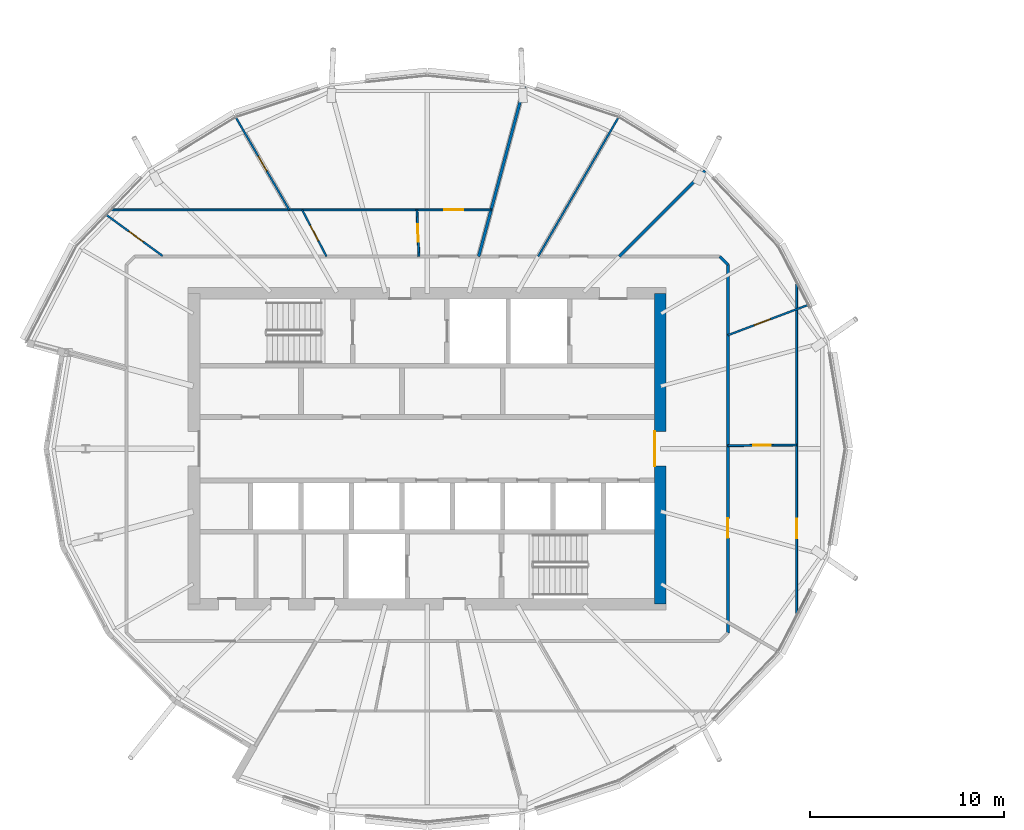
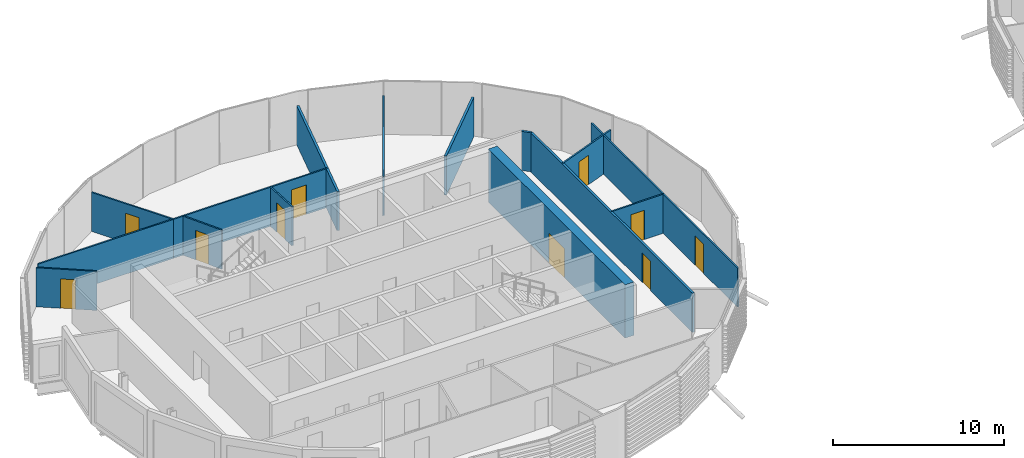
# One storey, part 20 of 35: 15 walls, 10 doors, 10 openings.
"""IFC4 building model written with IfcOpenShell, lengths in metres."""

from ifc_helpers import new_model, si_unit, direction, frame, frame_2d, origin, place, context, subcontext, project, spatial, rectangle, extrude, material, layer, layer_set, type_object, element, fill, save


model = new_model("IFC4")

# Units and contexts
model_context = context("Model", 3, precision=1e-05, world=origin(), true_north=direction((0.0, 1.0)))
body_context = subcontext(model_context, "Body", "Model", "MODEL_VIEW")
ifc_project = project(units=[si_unit("LENGTHUNIT", "METRE"), si_unit("AREAUNIT", "SQUARE_METRE"), si_unit("VOLUMEUNIT", "CUBIC_METRE"), si_unit("PLANEANGLEUNIT", "RADIAN"), si_unit("MASSUNIT", "GRAM", prefix="KILO")], contexts=[model_context])

# Site, building, storey
site_placement = place(None, origin())
site = spatial("IfcSite", under=ifc_project, at=site_placement, CompositionType="ELEMENT")
building_placement = place(site_placement, origin())
building = spatial("IfcBuilding", under=site, at=building_placement, Name="Rimbun Link Towers", CompositionType="ELEMENT")
storey_placement = place(building_placement, frame((0.0, 0.0, 196.89990234375)))
storey = spatial("IfcBuildingStorey", under=building, at=storey_placement, Name="L48", CompositionType="ELEMENT", Elevation=196.89990234375)

# Wall, opening, door
ifc_material_1 = material(Name="Concrete C60/75", Category="concrete")
ifc_layer_1 = layer(ifc_material_1, 0.60009765625)
ifc_layer_set_1 = layer_set([ifc_layer_1], Name="Core shear wall 600")
wall_type_1 = type_object("IfcWallType", Name="Core shear wall 600", PredefinedType="SHEAR", material=ifc_layer_set_1)
wall_1_placement = place(storey_placement, frame((-19.75, -8.0, 0.0), z_axis=(0.0, 0.0, 1.0), x_axis=(0.0, 1.0, 0.0)))
wall_1 = element("IfcWall", 1, at=wall_1_placement, inside=storey, type_object=wall_type_1, Name="L48 T1 core wall E", PredefinedType="SHEAR", context=body_context, shape_type="SweptSolid", body=[
    extrude(rectangle(XDim=16.0, YDim=0.60009765625, at=frame_2d((8.0, 0.0))), origin(), (0.0, 0.0, 1.0), 3.800048828125),
])
opening_1_placement = place(wall_1_placement, frame((7.10009765625, 0.0, 0.0)))
opening_1 = element("IfcOpeningElement", 2, at=opening_1_placement, cuts=wall_1, Name="Opening C1DCL01E", PredefinedType="OPENING", context=body_context, shape_type="SweptSolid", body=[
    extrude(rectangle(XDim=1.800048828125, YDim=2.10009765625, at=frame_2d((0.89990234375, 1.050048828125))), frame((0.0, 0.31005859375, 0.0), z_axis=(0.0, -1.0, 0.0), x_axis=(1.0, 0.0, 0.0)), (0.0, 0.0, 1.0), 0.6201171875),
])
ifc_material_2 = material(Name="Steel fire door set", Category="steel")
door_type_1 = type_object("IfcDoorType", Name="Core lobby door double", OperationType="DOUBLE_DOOR_SINGLE_SWING", PredefinedType="DOOR", material=ifc_material_2)
door_1_placement = place(opening_1_placement, origin())
door_1 = element("IfcDoor", 3, at=door_1_placement, inside=storey, type_object=door_type_1, Name="L48 T1 lift lobby door", OperationType="DOUBLE_DOOR_SINGLE_SWING", OverallHeight=2.10009765625, OverallWidth=1.800048828125, PredefinedType="DOOR", context=body_context, shape_type="SweptSolid", body=[
    extrude(rectangle(XDim=1.800048828125, YDim=2.10009765625, at=frame_2d((0.89990234375, 1.050048828125))), frame((0.0, 0.2998046875, 0.0), z_axis=(0.0, -1.0, 0.0), x_axis=(1.0, 0.0, 0.0)), (0.0, 0.0, 1.0), 0.050048828125),
])
fill(opening_1, door_1)

# Wall
ifc_material_3 = material(Name="Plasterboard on steel stud, mineral wool", Category="steel")
ifc_layer_2 = layer(ifc_material_3, 0.14990234375)
ifc_layer_set_2 = layer_set([ifc_layer_2], Name="Corridor wall EI 30 150 mm")
wall_type_2 = type_object("IfcWallType", Name="Corridor wall EI 30 150 mm", PredefinedType="PARTITIONING", material=ifc_layer_set_2)
wall_2_placement = place(storey_placement, frame((-16.27490234375, 9.4736328125, 0.0), z_axis=(0.0, 0.0, 1.0), x_axis=(-0.707106781187, 0.707106781187, 0.0)))
element("IfcWall", 4, at=wall_2_placement, inside=storey, type_object=wall_type_2, Name="Corridor wall EI 30 150 mm", PredefinedType="PARTITIONING", context=body_context, shape_type="SweptSolid", body=[
    extrude(rectangle(XDim=0.595947265625, YDim=0.14990234375, at=frame_2d((0.2978515625, 0.0))), origin(), (0.0, 0.0, 1.0), 2.7890625),
])

# Wall, opening, door
wall_3_placement = place(storey_placement, frame((-16.27490234375, 9.4736328125, 0.0), z_axis=(0.0, 0.0, 1.0), x_axis=(0.0, -1.0, 0.0)))
wall_3 = element("IfcWall", 5, at=wall_3_placement, inside=storey, type_object=wall_type_2, Name="Corridor wall EI 30 150 mm", PredefinedType="PARTITIONING", context=body_context, shape_type="SweptSolid", body=[
    extrude(rectangle(XDim=18.947265625, YDim=0.14990234375, at=frame_2d((9.4736328125, 0.0))), origin(), (0.0, 0.0, 1.0), 2.7890625),
])
opening_2_placement = place(wall_3_placement, frame((13.06005859375, 0.0, 0.0)))
opening_2 = element("IfcOpeningElement", 6, at=opening_2_placement, cuts=wall_3, Name="Opening D01", PredefinedType="OPENING", context=body_context, shape_type="SweptSolid", body=[
    extrude(rectangle(XDim=1.0, YDim=2.10009765625, at=frame_2d((0.5, 1.050048828125))), frame((0.0, 0.0849609375, 0.0), z_axis=(0.0, -1.0, 0.0), x_axis=(1.0, 0.0, 0.0)), (0.0, 0.0, 1.0), 0.169921875),
])
ifc_material_4 = material(Name="Fire-resisting timber door leaf", Category="wood")
door_type_2 = type_object("IfcDoorType", Name="Fire door FD30S 1000", OperationType="NOTDEFINED", PredefinedType="DOOR", material=ifc_material_4)
door_2_placement = place(opening_2_placement, origin())
door_2 = element("IfcDoor", 7, at=door_2_placement, inside=storey, type_object=door_type_2, Name="Fire door FD30S 1000 to Tenant lobby", OperationType="SINGLE_SWING_RIGHT", OverallHeight=2.10009765625, OverallWidth=1.0, PredefinedType="DOOR", context=body_context, shape_type="SweptSolid", body=[
    extrude(rectangle(XDim=1.0, YDim=2.10009765625, at=frame_2d((0.5, 1.050048828125))), frame((0.0, 0.02490234375, 0.0), z_axis=(0.0, -1.0, 0.0), x_axis=(1.0, 0.0, 0.0)), (0.0, 0.0, 1.0), 0.050048828125),
])
fill(opening_2, door_2)

ifc_material_5 = material(Name="Plasterboard on steel stud", Category="steel")
ifc_layer_3 = layer(ifc_material_5, 0.10009765625)
ifc_layer_set_3 = layer_set([ifc_layer_3], Name="Plasterboard partition 100 mm")
wall_type_3 = type_object("IfcWallType", Name="Plasterboard partition 100 mm", PredefinedType="PARTITIONING", material=ifc_layer_set_3)
wall_4_placement = place(storey_placement, frame((-16.27490234375, 0.157470703125, 0.0), z_axis=(0.0, 0.0, 1.0), x_axis=(0.99994860805, 0.010138109206, 0.0)))
wall_4 = element("IfcWall", 8, at=wall_4_placement, inside=storey, type_object=wall_type_3, Name="Plasterboard partition 100 mm", PredefinedType="PARTITIONING", context=body_context, shape_type="SweptSolid", body=[
    extrude(rectangle(XDim=3.5400390625, YDim=0.10009765625, at=frame_2d((1.77001953125, 0.0))), origin(), (0.0, 0.0, 1.0), 2.7890625),
])
opening_3_placement = place(wall_4_placement, frame((1.320068359375, 0.0, 0.0)))
opening_3 = element("IfcOpeningElement", 9, at=opening_3_placement, cuts=wall_4, Name="Opening D04", PredefinedType="OPENING", context=body_context, shape_type="SweptSolid", body=[
    extrude(rectangle(XDim=0.89990234375, YDim=2.10009765625, at=frame_2d((0.449951171875, 1.050048828125))), frame((0.0, 0.06005859375, 0.0), z_axis=(0.0, -1.0, 0.0), x_axis=(1.0, 0.0, 0.0)), (0.0, 0.0, 1.0), 0.1201171875),
])
ifc_material_6 = material(Name="Timber door leaf", Category="wood")
door_type_3 = type_object("IfcDoorType", Name="Flush door 900", OperationType="NOTDEFINED", PredefinedType="DOOR", material=ifc_material_6)
door_3_placement = place(opening_3_placement, origin())
door_3 = element("IfcDoor", 10, at=door_3_placement, inside=storey, type_object=door_type_3, Name="Flush door 900 to Data room", OperationType="SINGLE_SWING_RIGHT", OverallHeight=2.10009765625, OverallWidth=0.89990234375, PredefinedType="DOOR", context=body_context, shape_type="SweptSolid", body=[
    extrude(rectangle(XDim=0.89990234375, YDim=2.10009765625, at=frame_2d((0.449951171875, 1.050048828125))), frame((0.0, 0.02490234375, 0.0), z_axis=(0.0, -1.0, 0.0), x_axis=(1.0, 0.0, 0.0)), (0.0, 0.0, 1.0), 0.050048828125),
])
fill(opening_3, door_3)

wall_5_placement = place(storey_placement, frame((-12.735107421875, 8.547119140625, 0.0), z_axis=(0.0, 0.0, 1.0), x_axis=(0.0, -1.0, 0.0)))
wall_5 = element("IfcWall", 11, at=wall_5_placement, inside=storey, type_object=wall_type_3, Name="Plasterboard partition 100 mm", PredefinedType="PARTITIONING", context=body_context, shape_type="SweptSolid", body=[
    extrude(rectangle(XDim=17.09423828125, YDim=0.10009765625, at=frame_2d((8.547119140625, 0.0))), origin(), (0.0, 0.0, 1.0), 2.7890625),
])
opening_4_placement = place(wall_5_placement, frame((12.152099609375, 0.0, 0.0)))
opening_4 = element("IfcOpeningElement", 12, at=opening_4_placement, cuts=wall_5, Name="Opening D03", PredefinedType="OPENING", context=body_context, shape_type="SweptSolid", body=[
    extrude(rectangle(XDim=1.0, YDim=2.10009765625, at=frame_2d((0.5, 1.050048828125))), frame((0.0, 0.06005859375, 0.0), z_axis=(0.0, -1.0, 0.0), x_axis=(1.0, 0.0, 0.0)), (0.0, 0.0, 1.0), 0.1201171875),
])
ifc_material_7 = material(Name="Timber door leaf", Category="wood")
door_type_4 = type_object("IfcDoorType", Name="Flush door 1000", OperationType="NOTDEFINED", PredefinedType="DOOR", material=ifc_material_7)
door_4_placement = place(opening_4_placement, origin())
door_4 = element("IfcDoor", 13, at=door_4_placement, inside=storey, type_object=door_type_4, Name="Flush door 1000 to Trading floor", OperationType="SINGLE_SWING_LEFT", OverallHeight=2.10009765625, OverallWidth=1.0, PredefinedType="DOOR", context=body_context, shape_type="SweptSolid", body=[
    extrude(rectangle(XDim=1.0, YDim=2.10009765625, at=frame_2d((0.5, 1.050048828125))), frame((0.0, 0.02490234375, 0.0), z_axis=(0.0, -1.0, 0.0), x_axis=(1.0, 0.0, 0.0)), (0.0, 0.0, 1.0), 0.050048828125),
])
fill(opening_4, door_4)

wall_6_placement = place(storey_placement, frame((-16.27490234375, 5.843017578125, 0.0), z_axis=(0.0, 0.0, 1.0), x_axis=(0.935530858605, 0.353244975334, 0.0)))
wall_6 = element("IfcWall", 14, at=wall_6_placement, inside=storey, type_object=wall_type_3, Name="Plasterboard partition 100 mm", PredefinedType="PARTITIONING", context=body_context, shape_type="SweptSolid", body=[
    extrude(rectangle(XDim=4.424560546875, YDim=0.10009765625, at=frame_2d((2.21240234375, 0.0))), origin(), (0.0, 0.0, 1.0), 2.7890625),
])
opening_5_placement = place(wall_6_placement, frame((1.44189453125, 0.0, 0.0)))
opening_5 = element("IfcOpeningElement", 15, at=opening_5_placement, cuts=wall_6, Name="Opening D04", PredefinedType="OPENING", context=body_context, shape_type="SweptSolid", body=[
    extrude(rectangle(XDim=0.89990234375, YDim=2.10009765625, at=frame_2d((0.449951171875, 1.050048828125))), frame((0.0, 0.06005859375, 0.0), z_axis=(0.0, -1.0, 0.0), x_axis=(1.0, 0.0, 0.0)), (0.0, 0.0, 1.0), 0.1201171875),
])
door_5_placement = place(opening_5_placement, origin())
door_5 = element("IfcDoor", 16, at=door_5_placement, inside=storey, type_object=door_type_3, Name="Flush door 900 to Communications room", OperationType="SINGLE_SWING_LEFT", OverallHeight=2.10009765625, OverallWidth=0.89990234375, PredefinedType="DOOR", context=body_context, shape_type="SweptSolid", body=[
    extrude(rectangle(XDim=0.89990234375, YDim=2.10009765625, at=frame_2d((0.449951171875, 1.050048828125))), frame((0.0, 0.02490234375, 0.0), z_axis=(0.0, -1.0, 0.0), x_axis=(1.0, 0.0, 0.0)), (0.0, 0.0, 1.0), 0.050048828125),
])
fill(opening_5, door_5)

# Wall
wall_7_placement = place(storey_placement, frame((-21.906494140625, 17.0498046875, 0.0), z_axis=(0.0, 0.0, 1.0), x_axis=(-0.499981670823, -0.866035985881, 0.0)))
element("IfcWall", 17, at=wall_7_placement, inside=storey, type_object=wall_type_3, Name="Plasterboard partition 100 mm", PredefinedType="PARTITIONING", context=body_context, shape_type="SweptSolid", body=[
    extrude(rectangle(XDim=8.261474609375, YDim=0.10009765625, at=frame_2d((4.130859375, 0.0))), origin(), (0.0, 0.0, 1.0), 2.7890625),
])

# Wall, opening, door
wall_8_placement = place(storey_placement, frame((-32.17236328125, 9.89501953125, 0.0), z_axis=(0.0, 0.0, 1.0), x_axis=(-0.042687401884, 0.999088477424, 0.0)))
wall_8 = element("IfcWall", 18, at=wall_8_placement, inside=storey, type_object=wall_type_3, Name="Plasterboard partition 100 mm", PredefinedType="PARTITIONING", context=body_context, shape_type="SweptSolid", body=[
    extrude(rectangle(XDim=2.402099609375, YDim=0.10009765625, at=frame_2d((1.201171875, 0.0))), origin(), (0.0, 0.0, 1.0), 2.7890625),
])
opening_6_placement = place(wall_8_placement, frame((0.751220703125, 0.0, 0.0)))
opening_6 = element("IfcOpeningElement", 19, at=opening_6_placement, cuts=wall_8, Name="Opening D04", PredefinedType="OPENING", context=body_context, shape_type="SweptSolid", body=[
    extrude(rectangle(XDim=0.89990234375, YDim=2.10009765625, at=frame_2d((0.449951171875, 1.050048828125))), frame((0.0, 0.06005859375, 0.0), z_axis=(0.0, -1.0, 0.0), x_axis=(1.0, 0.0, 0.0)), (0.0, 0.0, 1.0), 0.1201171875),
])
door_6_placement = place(opening_6_placement, origin())
door_6 = element("IfcDoor", 20, at=door_6_placement, inside=storey, type_object=door_type_3, Name="Flush door 900 to Huddle room", OperationType="SINGLE_SWING_RIGHT", OverallHeight=2.10009765625, OverallWidth=0.89990234375, PredefinedType="DOOR", context=body_context, shape_type="SweptSolid", body=[
    extrude(rectangle(XDim=0.89990234375, YDim=2.10009765625, at=frame_2d((0.449951171875, 1.050048828125))), frame((0.0, 0.02490234375, 0.0), z_axis=(0.0, -1.0, 0.0), x_axis=(1.0, 0.0, 0.0)), (0.0, 0.0, 1.0), 0.050048828125),
])
fill(opening_6, door_6)

wall_9_placement = place(storey_placement, frame((-38.848388671875, 12.294921875, 0.0), z_axis=(0.0, 0.0, 1.0), x_axis=(1.0, 0.0, 0.0)))
wall_9 = element("IfcWall", 21, at=wall_9_placement, inside=storey, type_object=wall_type_3, Name="Plasterboard partition 100 mm", PredefinedType="PARTITIONING", context=body_context, shape_type="SweptSolid", body=[
    extrude(rectangle(XDim=10.392822265625, YDim=0.10009765625, at=frame_2d((5.1962890625, 0.0))), origin(), (0.0, 0.0, 1.0), 2.7890625),
])
opening_7_placement = place(wall_9_placement, frame((7.96826171875, 0.0, 0.0)))
opening_7 = element("IfcOpeningElement", 22, at=opening_7_placement, cuts=wall_9, Name="Opening D03", PredefinedType="OPENING", context=body_context, shape_type="SweptSolid", body=[
    extrude(rectangle(XDim=1.0, YDim=2.10009765625, at=frame_2d((0.5, 1.050048828125))), frame((0.0, 0.06005859375, 0.0), z_axis=(0.0, -1.0, 0.0), x_axis=(1.0, 0.0, 0.0)), (0.0, 0.0, 1.0), 0.1201171875),
])
door_7_placement = place(opening_7_placement, origin())
door_7 = element("IfcDoor", 23, at=door_7_placement, inside=storey, type_object=door_type_4, Name="Flush door 1000 to Open office", OperationType="SINGLE_SWING_RIGHT", OverallHeight=2.10009765625, OverallWidth=1.0, PredefinedType="DOOR", context=body_context, shape_type="SweptSolid", body=[
    extrude(rectangle(XDim=1.0, YDim=2.10009765625, at=frame_2d((0.5, 1.050048828125))), frame((0.0, 0.02490234375, 0.0), z_axis=(0.0, -1.0, 0.0), x_axis=(1.0, 0.0, 0.0)), (0.0, 0.0, 1.0), 0.050048828125),
])
fill(opening_7, door_7)

wall_10_placement = place(storey_placement, frame((-36.927734375, 9.89501953125, 0.0), z_axis=(0.0, 0.0, 1.0), x_axis=(-0.463649948862, 0.886018467596, 0.0)))
wall_10 = element("IfcWall", 24, at=wall_10_placement, inside=storey, type_object=wall_type_3, Name="Plasterboard partition 100 mm", PredefinedType="PARTITIONING", context=body_context, shape_type="SweptSolid", body=[
    extrude(rectangle(XDim=2.708740234375, YDim=0.10009765625, at=frame_2d((1.3544921875, 0.0))), origin(), (0.0, 0.0, 1.0), 2.7890625),
])
opening_8_placement = place(wall_10_placement, frame((0.904296875, 0.0, 0.0)))
opening_8 = element("IfcOpeningElement", 25, at=opening_8_placement, cuts=wall_10, Name="Opening D04", PredefinedType="OPENING", context=body_context, shape_type="SweptSolid", body=[
    extrude(rectangle(XDim=0.89990234375, YDim=2.10009765625, at=frame_2d((0.449951171875, 1.050048828125))), frame((0.0, 0.06005859375, 0.0), z_axis=(0.0, -1.0, 0.0), x_axis=(1.0, 0.0, 0.0)), (0.0, 0.0, 1.0), 0.1201171875),
])
door_8_placement = place(opening_8_placement, origin())
door_8 = element("IfcDoor", 26, at=door_8_placement, inside=storey, type_object=door_type_3, Name="Flush door 900 to Huddle room", OperationType="SINGLE_SWING_LEFT", OverallHeight=2.10009765625, OverallWidth=0.89990234375, PredefinedType="DOOR", context=body_context, shape_type="SweptSolid", body=[
    extrude(rectangle(XDim=0.89990234375, YDim=2.10009765625, at=frame_2d((0.449951171875, 1.050048828125))), frame((0.0, 0.02490234375, 0.0), z_axis=(0.0, -1.0, 0.0), x_axis=(1.0, 0.0, 0.0)), (0.0, 0.0, 1.0), 0.050048828125),
])
fill(opening_8, door_8)

wall_11_placement = place(storey_placement, frame((-45.3662109375, 9.925048828125, 0.0), z_axis=(0.0, 0.0, 1.0), x_axis=(-0.808116399695, 0.589022821751, 0.0)))
wall_11 = element("IfcWall", 27, at=wall_11_placement, inside=storey, type_object=wall_type_3, Name="Plasterboard partition 100 mm", PredefinedType="PARTITIONING", context=body_context, shape_type="SweptSolid", body=[
    extrude(rectangle(XDim=3.580322265625, YDim=0.10009765625, at=frame_2d((1.7900390625, 0.0))), origin(), (0.0, 0.0, 1.0), 2.7890625),
])
opening_9_placement = place(wall_11_placement, frame((1.242919921875, 0.0, 0.0)))
opening_9 = element("IfcOpeningElement", 28, at=opening_9_placement, cuts=wall_11, Name="Opening D04", PredefinedType="OPENING", context=body_context, shape_type="SweptSolid", body=[
    extrude(rectangle(XDim=0.89990234375, YDim=2.10009765625, at=frame_2d((0.449951171875, 1.050048828125))), frame((0.0, 0.06005859375, 0.0), z_axis=(0.0, -1.0, 0.0), x_axis=(1.0, 0.0, 0.0)), (0.0, 0.0, 1.0), 0.1201171875),
])
door_9_placement = place(opening_9_placement, origin())
door_9 = element("IfcDoor", 29, at=door_9_placement, inside=storey, type_object=door_type_3, Name="Flush door 900 to Pantry", OperationType="SINGLE_SWING_RIGHT", OverallHeight=2.10009765625, OverallWidth=0.89990234375, PredefinedType="DOOR", context=body_context, shape_type="SweptSolid", body=[
    extrude(rectangle(XDim=0.89990234375, YDim=2.10009765625, at=frame_2d((0.449951171875, 1.050048828125))), frame((0.0, 0.02490234375, 0.0), z_axis=(0.0, -1.0, 0.0), x_axis=(1.0, 0.0, 0.0)), (0.0, 0.0, 1.0), 0.050048828125),
])
fill(opening_9, door_9)

# Wall
wall_12_placement = place(storey_placement, frame((-38.848388671875, 12.294921875, 0.0), z_axis=(0.0, 0.0, 1.0), x_axis=(-1.0, 0.0, 0.0)))
element("IfcWall", 30, at=wall_12_placement, inside=storey, type_object=wall_type_3, Name="Plasterboard partition 100 mm", PredefinedType="PARTITIONING", context=body_context, shape_type="SweptSolid", body=[
    extrude(rectangle(XDim=9.1552734375, YDim=0.10009765625, at=frame_2d((4.57763671875, 0.0))), origin(), (0.0, 0.0, 1.0), 2.7890625),
])

# Wall, opening, door
wall_13_placement = place(storey_placement, frame((-38.848388671875, 12.294921875, 0.0), z_axis=(0.0, 0.0, 1.0), x_axis=(-0.49998419723, 0.866034527326, 0.0)))
wall_13 = element("IfcWall", 31, at=wall_13_placement, inside=storey, type_object=wall_type_3, Name="Plasterboard partition 100 mm", PredefinedType="PARTITIONING", context=body_context, shape_type="SweptSolid", body=[
    extrude(rectangle(XDim=5.490478515625, YDim=0.10009765625, at=frame_2d((2.7451171875, 0.0))), origin(), (0.0, 0.0, 1.0), 2.7890625),
])
opening_10_placement = place(wall_13_placement, frame((2.295166015625, 0.0, 0.0)))
opening_10 = element("IfcOpeningElement", 32, at=opening_10_placement, cuts=wall_13, Name="Opening D04", PredefinedType="OPENING", context=body_context, shape_type="SweptSolid", body=[
    extrude(rectangle(XDim=0.89990234375, YDim=2.10009765625, at=frame_2d((0.449951171875, 1.050048828125))), frame((0.0, 0.06005859375, 0.0), z_axis=(0.0, -1.0, 0.0), x_axis=(1.0, 0.0, 0.0)), (0.0, 0.0, 1.0), 0.1201171875),
])
door_10_placement = place(opening_10_placement, origin())
door_10 = element("IfcDoor", 33, at=door_10_placement, inside=storey, type_object=door_type_3, Name="Flush door 900 to Project room", OperationType="SINGLE_SWING_RIGHT", OverallHeight=2.10009765625, OverallWidth=0.89990234375, PredefinedType="DOOR", context=body_context, shape_type="SweptSolid", body=[
    extrude(rectangle(XDim=0.89990234375, YDim=2.10009765625, at=frame_2d((0.449951171875, 1.050048828125))), frame((0.0, 0.02490234375, 0.0), z_axis=(0.0, -1.0, 0.0), x_axis=(1.0, 0.0, 0.0)), (0.0, 0.0, 1.0), 0.050048828125),
])
fill(opening_10, door_10)

# Walls
ifc_material_8 = material(Name="Plasterboard on steel stud, mineral wool", Category="steel")
ifc_layer_4 = layer(ifc_material_8, 0.14990234375)
ifc_layer_set_4 = layer_set([ifc_layer_4], Name="Tenancy separation wall EI 60 150 mm")
wall_type_4 = type_object("IfcWallType", Name="Tenancy separation wall EI 60 150 mm", PredefinedType="PARTITIONING", material=ifc_layer_set_4)
wall_14_placement = place(storey_placement, frame((-21.85498046875, 9.89501953125, 0.0), z_axis=(0.0, 0.0, 1.0), x_axis=(0.707106781187, 0.707106781187, 0.0)))
element("IfcWall", 34, at=wall_14_placement, inside=storey, type_object=wall_type_4, Name="Tenancy separation wall EI 60 150 mm", PredefinedType="PARTITIONING", context=body_context, shape_type="SweptSolid", body=[
    extrude(rectangle(XDim=6.241455078125, YDim=0.14990234375, at=frame_2d((3.12060546875, 0.0))), origin(), (0.0, 0.0, 1.0), 2.7890625),
])
wall_15_placement = place(storey_placement, frame((-29.0986328125, 9.89501953125, 0.0), z_axis=(0.0, 0.0, 1.0), x_axis=(0.25883027395, 0.965922817459, 0.0)))
element("IfcWall", 35, at=wall_15_placement, inside=storey, type_object=wall_type_4, Name="Tenancy separation wall EI 60 150 mm", PredefinedType="PARTITIONING", context=body_context, shape_type="SweptSolid", body=[
    extrude(rectangle(XDim=9.0693359375, YDim=0.14990234375, at=frame_2d((4.53466796875, 0.0))), origin(), (0.0, 0.0, 1.0), 2.7890625),
])

save(model, "model.ifc")
